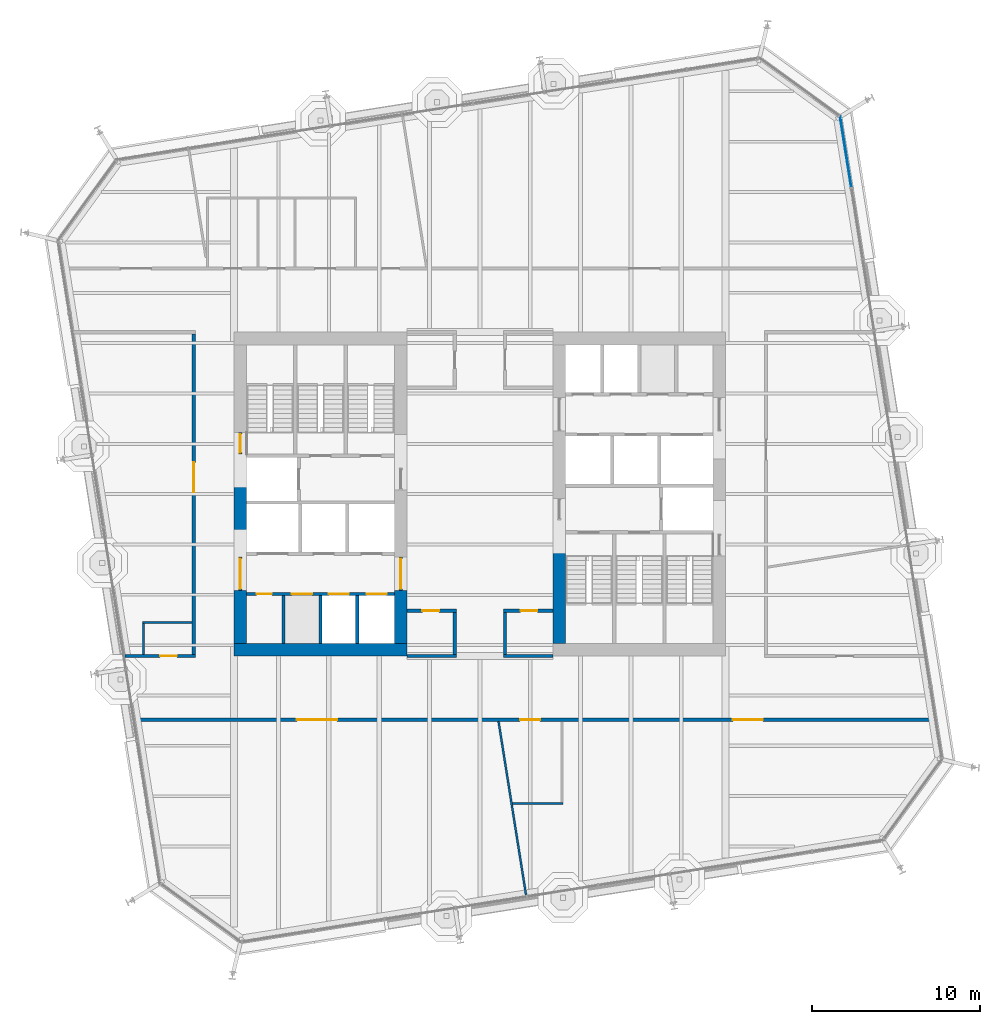
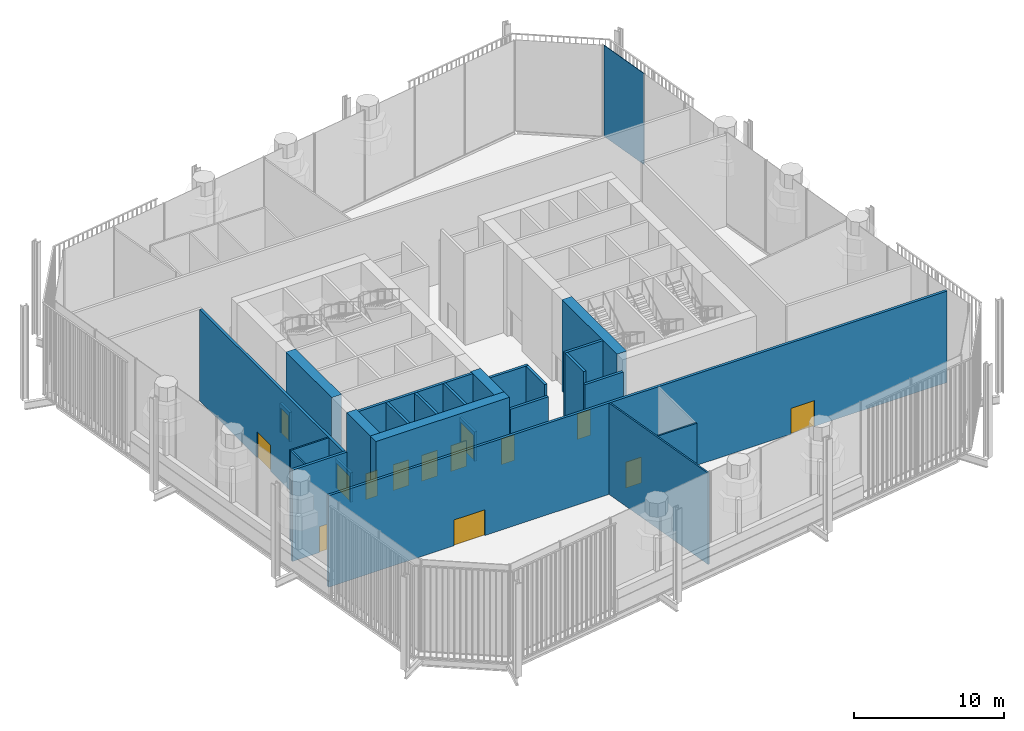
# One storey, part 11 of 19: 25 walls, 14 doors, 1 plate, 14 openings, 1 element without a shape of its own.
"""IFC4 building model written with IfcOpenShell, lengths in metres."""

from ifc_helpers import new_model, si_unit, direction, frame, frame_2d, origin, place, context, subcontext, project, spatial, polyline, rectangle, outline, extrude, material, layer, layer_set, type_object, element, fill, aggregate, save


model = new_model("IFC4")

# Units and contexts
model_context = context("Model", 3, precision=1e-05, world=origin(), true_north=direction((0.0, 1.0)))
body_context = subcontext(model_context, "Body", "Model", "MODEL_VIEW")
ifc_project = project(units=[si_unit("LENGTHUNIT", "METRE"), si_unit("AREAUNIT", "SQUARE_METRE"), si_unit("VOLUMEUNIT", "CUBIC_METRE"), si_unit("PLANEANGLEUNIT", "RADIAN"), si_unit("MASSUNIT", "GRAM", prefix="KILO")], contexts=[model_context])

# Site, building, storey
site_placement = place(None, origin())
site = spatial("IfcSite", under=ifc_project, at=site_placement, CompositionType="ELEMENT")
building_placement = place(site_placement, origin())
building = spatial("IfcBuilding", under=site, at=building_placement, Name="Millrace Tower", CompositionType="ELEMENT")
storey_placement = place(building_placement, frame((0.0, 0.0, 172.39990234375)))
storey = spatial("IfcBuildingStorey", under=building, at=storey_placement, Name="L39", CompositionType="ELEMENT", Elevation=172.39990234375)

# Curtain wall, plate
ifc_material_1 = material(Name="Aluminium and glass", Category="aluminium")
ifc_layer_1 = layer(ifc_material_1, 0.199951171875)
ifc_layer_set_1 = layer_set([ifc_layer_1], Name="Aluminium and glass")
curtain_wall_type = type_object("IfcCurtainWallType", Name="CW-4 sky garden winter glazing", PredefinedType="NOTDEFINED", material=ifc_layer_set_1)
curtain_wall_placement = place(storey_placement, origin())
curtain_wall = element("IfcCurtainWall", 1, at=curtain_wall_placement, inside=storey, type_object=curtain_wall_type, Name="Curtain wall C-F04 L39", PredefinedType="NOTDEFINED")
ifc_material_2 = material(Name="Glass", Category="glass")
ifc_layer_2 = layer(ifc_material_2, 0.0439453125)
ifc_layer_set_2 = layer_set([ifc_layer_2], Name="Glass")
plate_type = type_object("IfcPlateType", Name="CW-4 sky garden winter glazing triple-glazed double-height panel", PredefinedType="CURTAIN_PANEL", material=ifc_layer_set_2)
plate_placement = place(storey_placement, frame((0.0, 0.0, 0.18017578125)))
plate = element("IfcPlate", 2, at=plate_placement, type_object=plate_type, Name="CW4 panel C-F04.9", PredefinedType="CURTAIN_PANEL", context=body_context, shape_type="SweptSolid", body=[
    extrude(outline(polyline([(22.164306640625, 18.2890625), (21.496337890625, 22.507080078125), (21.45556640625, 22.482177734375), (22.120849609375, 18.2822265625), (22.164306640625, 18.2890625)])), origin(), (0.0, 0.0, 1.0), 7.419921875),
])
aggregate(curtain_wall, [plate])

# Walls
ifc_material_3 = material(Name="Concrete C70", Category="concrete")
ifc_layer_3 = layer(ifc_material_3, 0.75)
ifc_layer_set_3 = layer_set([ifc_layer_3], Name="Concrete C70")
wall_type_1 = type_object("IfcWallType", Name="Core wall 750 Concrete C70", PredefinedType="SHEAR", material=ifc_layer_set_3)
wall_1_placement = place(storey_placement, frame((-14.64990234375, -9.27490234375, 0.0), z_axis=(0.0, 0.0, 1.0), x_axis=(1.0, 0.0, 0.0)))
element("IfcWall", 3, at=wall_1_placement, inside=storey, type_object=wall_type_1, Name="Core wall W L39", PredefinedType="SHEAR", context=body_context, shape_type="SweptSolid", body=[
    extrude(rectangle(XDim=10.2998046875, YDim=0.75, at=frame_2d((5.14990234375, 0.0))), origin(), (0.0, 0.0, 1.0), 7.440185546875),
])
wall_2_placement = place(storey_placement, frame((-14.27490234375, -8.89990234375, 0.0), z_axis=(0.0, 0.0, 1.0), x_axis=(0.0, 1.0, 0.0)))
element("IfcWall", 4, at=wall_2_placement, inside=storey, type_object=wall_type_1, Name="Core wall W L39", PredefinedType="SHEAR", context=body_context, shape_type="SweptSolid", body=[
    extrude(rectangle(XDim=3.14990234375, YDim=0.75, at=frame_2d((1.574951171875, 0.0))), origin(), (0.0, 0.0, 1.0), 7.440185546875),
])
wall_3_placement = place(storey_placement, frame((-14.27490234375, -3.75, 0.0), z_axis=(0.0, 0.0, 1.0), x_axis=(0.0, 1.0, 0.0)))
element("IfcWall", 5, at=wall_3_placement, inside=storey, type_object=wall_type_1, Name="Core wall W L39", PredefinedType="SHEAR", context=body_context, shape_type="SweptSolid", body=[
    extrude(rectangle(XDim=6.1298828125, YDim=0.75, at=frame_2d((3.06494140625, 0.0))), origin(), (0.0, 0.0, 1.0), 7.440185546875),
])
wall_4_placement = place(storey_placement, frame((-4.72509765625, -8.89990234375, 0.0), z_axis=(0.0, 0.0, 1.0), x_axis=(0.0, 1.0, 0.0)))
element("IfcWall", 6, at=wall_4_placement, inside=storey, type_object=wall_type_1, Name="Core wall W L39", PredefinedType="SHEAR", context=body_context, shape_type="SweptSolid", body=[
    extrude(rectangle(XDim=3.14990234375, YDim=0.75, at=frame_2d((1.574951171875, 0.0))), origin(), (0.0, 0.0, 1.0), 7.440185546875),
])
wall_5_placement = place(storey_placement, frame((4.72509765625, -1.550048828125, 0.0), z_axis=(0.0, 0.0, 1.0), x_axis=(0.0, -1.0, 0.0)))
element("IfcWall", 7, at=wall_5_placement, inside=storey, type_object=wall_type_1, Name="Core wall E L39", PredefinedType="SHEAR", context=body_context, shape_type="SweptSolid", body=[
    extrude(rectangle(XDim=7.349853515625, YDim=0.75, at=frame_2d((3.6748046875, 0.0))), origin(), (0.0, 0.0, 1.0), 7.440185546875),
])

# Wall, openings, doors
ifc_material_4 = material(Name="Masonry partition, fire-rated", Category="masonry")
ifc_layer_4 = layer(ifc_material_4, 0.199951171875)
ifc_layer_set_4 = layer_set([ifc_layer_4], Name="Masonry partition, fire-rated")
wall_type_2 = type_object("IfcWallType", Name="Corridor wall 200", PredefinedType="PARTITIONING", material=ifc_layer_set_4)
wall_6_placement = place(storey_placement, frame((-20.548583984375, -13.449951171875, 0.0), z_axis=(0.0, 0.0, 1.0), x_axis=(1.0, 0.0, 0.0)))
wall_6 = element("IfcWall", 8, at=wall_6_placement, inside=storey, type_object=wall_type_2, Name="Corridor wall L39", PredefinedType="PARTITIONING", context=body_context, shape_type="SweptSolid", body=[
    extrude(rectangle(XDim=47.646728515625, YDim=0.199951171875, at=frame_2d((23.8232421875, 0.0))), origin(), (0.0, 0.0, 1.0), 7.440185546875),
])
opening_1_placement = place(wall_6_placement, frame((9.6484375, 0.0, 0.0)))
opening_1 = element("IfcOpeningElement", 9, at=opening_1_placement, cuts=wall_6, Name="Opening 39-P013", PredefinedType="OPENING", context=body_context, shape_type="SweptSolid", body=[
    extrude(rectangle(XDim=2.39990234375, YDim=2.10009765625, at=frame_2d((1.199951171875, 1.050048828125))), frame((0.0, 0.10986328125, 0.0), z_axis=(0.0, -1.0, 0.0), x_axis=(1.0, 0.0, 0.0)), (0.0, 0.0, 1.0), 0.219970703125),
])
opening_2_placement = place(wall_6_placement, frame((35.62158203125, 0.0, 0.0)))
opening_2 = element("IfcOpeningElement", 10, at=opening_2_placement, cuts=wall_6, Name="Opening 39-P014", PredefinedType="OPENING", context=body_context, shape_type="SweptSolid", body=[
    extrude(rectangle(XDim=1.800048828125, YDim=2.10009765625, at=frame_2d((0.89990234375, 1.050048828125))), frame((0.0, 0.10986328125, 0.0), z_axis=(0.0, -1.0, 0.0), x_axis=(1.0, 0.0, 0.0)), (0.0, 0.0, 1.0), 0.219970703125),
])
opening_3_placement = place(wall_6_placement, frame((22.946533203125, 0.0, 0.0)))
opening_3 = element("IfcOpeningElement", 11, at=opening_3_placement, cuts=wall_6, Name="Opening 39-P015", PredefinedType="OPENING", context=body_context, shape_type="SweptSolid", body=[
    extrude(rectangle(XDim=1.199951171875, YDim=2.10009765625, at=frame_2d((0.60009765625, 1.050048828125))), frame((0.0, 0.10986328125, 0.0), z_axis=(0.0, -1.0, 0.0), x_axis=(1.0, 0.0, 0.0)), (0.0, 0.0, 1.0), 0.219970703125),
])
ifc_material_5 = material(Name="Steel door set, fire-rated", Category="steel")
door_type_1 = type_object("IfcDoorType", Name="Corridor door 1200 x 2100", OperationType="SINGLE_SWING_LEFT", PredefinedType="DOOR", material=ifc_material_5)
door_1_placement = place(opening_3_placement, frame((1.199951171875, 0.0, 0.0), z_axis=(0.0, 0.0, 1.0), x_axis=(-1.0, 0.0, 0.0)))
door_1 = element("IfcDoor", 12, at=door_1_placement, inside=storey, type_object=door_type_1, Name="Door 39-P015", OperationType="SINGLE_SWING_RIGHT", OverallHeight=2.10009765625, OverallWidth=1.199951171875, PredefinedType="DOOR", context=body_context, shape_type="SweptSolid", body=[
    extrude(rectangle(XDim=1.199951171875, YDim=2.10009765625, at=frame_2d((0.60009765625, 1.050048828125))), frame((0.0, 0.02490234375, 0.0), z_axis=(0.0, -1.0, 0.0), x_axis=(1.0, 0.0, 0.0)), (0.0, 0.0, 1.0), 0.050048828125),
])
fill(opening_3, door_1)
ifc_material_6 = material(Name="Steel door set, fire-rated", Category="steel")
door_type_2 = type_object("IfcDoorType", Name="Corridor door 1800 x 2100", OperationType="DOUBLE_DOOR_SINGLE_SWING", PredefinedType="DOOR", material=ifc_material_6)
door_2_placement = place(opening_2_placement, origin())
door_2 = element("IfcDoor", 13, at=door_2_placement, inside=storey, type_object=door_type_2, Name="Door 39-P014", OperationType="DOUBLE_DOOR_SINGLE_SWING", OverallHeight=2.10009765625, OverallWidth=1.800048828125, PredefinedType="DOOR", context=body_context, shape_type="SweptSolid", body=[
    extrude(rectangle(XDim=1.800048828125, YDim=2.10009765625, at=frame_2d((0.89990234375, 1.050048828125))), frame((0.0, 0.02490234375, 0.0), z_axis=(0.0, -1.0, 0.0), x_axis=(1.0, 0.0, 0.0)), (0.0, 0.0, 1.0), 0.050048828125),
])
fill(opening_2, door_2)
ifc_material_7 = material(Name="Steel door set, fire-rated", Category="steel")
door_type_3 = type_object("IfcDoorType", Name="Corridor door 2400 x 2100", OperationType="DOUBLE_DOOR_SINGLE_SWING", PredefinedType="DOOR", material=ifc_material_7)
door_3_placement = place(opening_1_placement, origin())
door_3 = element("IfcDoor", 14, at=door_3_placement, inside=storey, type_object=door_type_3, Name="Door 39-P013", OperationType="DOUBLE_DOOR_SINGLE_SWING", OverallHeight=2.10009765625, OverallWidth=2.39990234375, PredefinedType="DOOR", context=body_context, shape_type="SweptSolid", body=[
    extrude(rectangle(XDim=2.39990234375, YDim=2.10009765625, at=frame_2d((1.199951171875, 1.050048828125))), frame((0.0, 0.02490234375, 0.0), z_axis=(0.0, -1.0, 0.0), x_axis=(1.0, 0.0, 0.0)), (0.0, 0.0, 1.0), 0.050048828125),
])
fill(opening_1, door_3)

# Wall, opening, door
wall_7_placement = place(storey_placement, frame((-21.150390625, -9.64990234375, 0.0), z_axis=(0.0, 0.0, 1.0), x_axis=(1.0, 0.0, 0.0)))
wall_7 = element("IfcWall", 15, at=wall_7_placement, inside=storey, type_object=wall_type_2, Name="Corridor wall L39", PredefinedType="PARTITIONING", context=body_context, shape_type="SweptSolid", body=[
    extrude(rectangle(XDim=4.200439453125, YDim=0.199951171875, at=frame_2d((2.10009765625, 0.0))), origin(), (0.0, 0.0, 1.0), 7.440185546875),
])
opening_4_placement = place(wall_7_placement, frame((2.100341796875, 0.0, 0.0)))
opening_4 = element("IfcOpeningElement", 16, at=opening_4_placement, cuts=wall_7, Name="Opening 39-P017", PredefinedType="OPENING", context=body_context, shape_type="SweptSolid", body=[
    extrude(rectangle(XDim=1.0, YDim=2.10009765625, at=frame_2d((0.5, 1.050048828125))), frame((0.0, 0.10986328125, 0.0), z_axis=(0.0, -1.0, 0.0), x_axis=(1.0, 0.0, 0.0)), (0.0, 0.0, 1.0), 0.219970703125),
])
ifc_material_8 = material(Name="Steel door set, fire-rated", Category="steel")
door_type_4 = type_object("IfcDoorType", Name="Corridor door 1000 x 2100", OperationType="SINGLE_SWING_LEFT", PredefinedType="DOOR", material=ifc_material_8)
door_4_placement = place(opening_4_placement, origin())
door_4 = element("IfcDoor", 17, at=door_4_placement, inside=storey, type_object=door_type_4, Name="Door 39-P017", OperationType="SINGLE_SWING_RIGHT", OverallHeight=2.10009765625, OverallWidth=1.0, PredefinedType="DOOR", context=body_context, shape_type="SweptSolid", body=[
    extrude(rectangle(XDim=1.0, YDim=2.10009765625, at=frame_2d((0.5, 1.050048828125))), frame((0.0, 0.02490234375, 0.0), z_axis=(0.0, -1.0, 0.0), x_axis=(1.0, 0.0, 0.0)), (0.0, 0.0, 1.0), 0.050048828125),
])
fill(opening_4, door_4)

# Walls
for number, where, z_axis, x_axis, name in (
    (18, (-4.35009765625, -9.64990234375, 0.0), (0.0, 0.0, 1.0), (1.0, 0.0, 0.0), "Corridor wall L39"),
    (19, (1.39990234375, -9.64990234375, 0.0), (0.0, 0.0, 1.0), (1.0, 0.0, 0.0), "Corridor wall L39"),
):
    element("IfcWall", number, at=place(storey_placement, frame(where, z_axis=z_axis, x_axis=x_axis)), inside=storey, type_object=wall_type_2, Name=name, PredefinedType="PARTITIONING", context=body_context, shape_type="SweptSolid", body=[
        extrude(rectangle(XDim=2.9501953125, YDim=0.199951171875, at=frame_2d((1.47509765625, 0.0))), origin(), (0.0, 0.0, 1.0), 6.512939453125),
    ])

# Wall, opening, door
wall_8_placement = place(storey_placement, frame((-4.35009765625, -6.949951171875, 0.0), z_axis=(0.0, 0.0, 1.0), x_axis=(1.0, 0.0, 0.0)))
wall_8 = element("IfcWall", 20, at=wall_8_placement, inside=storey, type_object=wall_type_2, Name="Corridor wall L39", PredefinedType="PARTITIONING", context=body_context, shape_type="SweptSolid", body=[
    extrude(rectangle(XDim=2.9501953125, YDim=0.199951171875, at=frame_2d((1.47509765625, 0.0))), origin(), (0.0, 0.0, 1.0), 7.440185546875),
])
opening_5_placement = place(wall_8_placement, frame((0.925048828125, 0.0, 0.0)))
opening_5 = element("IfcOpeningElement", 21, at=opening_5_placement, cuts=wall_8, Name="Opening 39-P003", PredefinedType="OPENING", context=body_context, shape_type="SweptSolid", body=[
    extrude(rectangle(XDim=1.0, YDim=2.10009765625, at=frame_2d((0.5, 1.050048828125))), frame((0.0, 0.10986328125, 0.0), z_axis=(0.0, -1.0, 0.0), x_axis=(1.0, 0.0, 0.0)), (0.0, 0.0, 1.0), 0.219970703125),
])
door_5_placement = place(opening_5_placement, frame((1.0, 0.0, 0.0), z_axis=(0.0, 0.0, 1.0), x_axis=(-1.0, 0.0, 0.0)))
door_5 = element("IfcDoor", 22, at=door_5_placement, inside=storey, type_object=door_type_4, Name="Door 39-P003", OperationType="SINGLE_SWING_LEFT", OverallHeight=2.10009765625, OverallWidth=1.0, PredefinedType="DOOR", context=body_context, shape_type="SweptSolid", body=[
    extrude(rectangle(XDim=1.0, YDim=2.10009765625, at=frame_2d((0.5, 1.050048828125))), frame((0.0, 0.02490234375, 0.0), z_axis=(0.0, -1.0, 0.0), x_axis=(1.0, 0.0, 0.0)), (0.0, 0.0, 1.0), 0.050048828125),
])
fill(opening_5, door_5)

wall_9_placement = place(storey_placement, frame((1.39990234375, -6.949951171875, 0.0), z_axis=(0.0, 0.0, 1.0), x_axis=(1.0, 0.0, 0.0)))
wall_9 = element("IfcWall", 23, at=wall_9_placement, inside=storey, type_object=wall_type_2, Name="Corridor wall L39", PredefinedType="PARTITIONING", context=body_context, shape_type="SweptSolid", body=[
    extrude(rectangle(XDim=2.9501953125, YDim=0.199951171875, at=frame_2d((1.47509765625, 0.0))), origin(), (0.0, 0.0, 1.0), 7.440185546875),
])
opening_6_placement = place(wall_9_placement, frame((1.02490234375, 0.0, 0.0)))
opening_6 = element("IfcOpeningElement", 24, at=opening_6_placement, cuts=wall_9, Name="Opening 39-P004", PredefinedType="OPENING", context=body_context, shape_type="SweptSolid", body=[
    extrude(rectangle(XDim=1.0, YDim=2.10009765625, at=frame_2d((0.5, 1.050048828125))), frame((0.0, 0.10986328125, 0.0), z_axis=(0.0, -1.0, 0.0), x_axis=(1.0, 0.0, 0.0)), (0.0, 0.0, 1.0), 0.219970703125),
])
door_6_placement = place(opening_6_placement, frame((1.0, 0.0, 0.0), z_axis=(0.0, 0.0, 1.0), x_axis=(-1.0, 0.0, 0.0)))
door_6 = element("IfcDoor", 25, at=door_6_placement, inside=storey, type_object=door_type_4, Name="Door 39-P004", OperationType="SINGLE_SWING_LEFT", OverallHeight=2.10009765625, OverallWidth=1.0, PredefinedType="DOOR", context=body_context, shape_type="SweptSolid", body=[
    extrude(rectangle(XDim=1.0, YDim=2.10009765625, at=frame_2d((0.5, 1.050048828125))), frame((0.0, 0.02490234375, 0.0), z_axis=(0.0, -1.0, 0.0), x_axis=(1.0, 0.0, 0.0)), (0.0, 0.0, 1.0), 0.050048828125),
])
fill(opening_6, door_6)

# Walls
for number, where, z_axis, x_axis, name in (
    (26, (1.5, -9.550048828125, 0.0), (0.0, 0.0, 1.0), (0.0, 1.0, 0.0), "Corridor wall L39"),
    (27, (-1.5, -9.550048828125, 0.0), (0.0, 0.0, 1.0), (0.0, 1.0, 0.0), "Corridor wall L39"),
):
    element("IfcWall", number, at=place(storey_placement, frame(where, z_axis=z_axis, x_axis=x_axis)), inside=storey, type_object=wall_type_2, Name=name, PredefinedType="PARTITIONING", context=body_context, shape_type="SweptSolid", body=[
        extrude(rectangle(XDim=2.5, YDim=0.199951171875, at=frame_2d((1.25, 0.0))), origin(), (0.0, 0.0, 1.0), 7.440185546875),
    ])

# Wall, opening, door
wall_10_placement = place(storey_placement, frame((-17.050048828125, -9.550048828125, 0.0), z_axis=(0.0, 0.0, 1.0), x_axis=(0.0, 1.0, 0.0)))
wall_10 = element("IfcWall", 28, at=wall_10_placement, inside=storey, type_object=wall_type_2, Name="Corridor wall L39", PredefinedType="PARTITIONING", context=body_context, shape_type="SweptSolid", body=[
    extrude(rectangle(XDim=19.10009765625, YDim=0.199951171875, at=frame_2d((9.550048828125, 0.0))), origin(), (0.0, 0.0, 1.0), 7.440185546875),
])
opening_7_placement = place(wall_10_placement, frame((9.64990234375, 0.0, 0.0)))
opening_7 = element("IfcOpeningElement", 29, at=opening_7_placement, cuts=wall_10, Name="Opening 39-P016", PredefinedType="OPENING", context=body_context, shape_type="SweptSolid", body=[
    extrude(rectangle(XDim=1.800048828125, YDim=2.10009765625, at=frame_2d((0.89990234375, 1.050048828125))), frame((0.0, 0.10986328125, 0.0), z_axis=(0.0, -1.0, 0.0), x_axis=(1.0, 0.0, 0.0)), (0.0, 0.0, 1.0), 0.219970703125),
])
door_7_placement = place(opening_7_placement, origin())
door_7 = element("IfcDoor", 30, at=door_7_placement, inside=storey, type_object=door_type_2, Name="Door 39-P016", OperationType="DOUBLE_DOOR_SINGLE_SWING", OverallHeight=2.10009765625, OverallWidth=1.800048828125, PredefinedType="DOOR", context=body_context, shape_type="SweptSolid", body=[
    extrude(rectangle(XDim=1.800048828125, YDim=2.10009765625, at=frame_2d((0.89990234375, 1.050048828125))), frame((0.0, 0.02490234375, 0.0), z_axis=(0.0, -1.0, 0.0), x_axis=(1.0, 0.0, 0.0)), (0.0, 0.0, 1.0), 0.050048828125),
])
fill(opening_7, door_7)

# Wall, openings, doors
ifc_material_9 = material(Name="Masonry partition, fire-rated", Category="masonry")
ifc_layer_5 = layer(ifc_material_9, 0.199951171875)
ifc_layer_set_5 = layer_set([ifc_layer_5], Name="Masonry partition, fire-rated")
wall_type_3 = type_object("IfcWallType", Name="Lift shaft wall 200", PredefinedType="PARTITIONING", material=ifc_layer_set_5)
wall_11_placement = place(storey_placement, frame((-13.89990234375, -5.949951171875, 0.0), z_axis=(0.0, 0.0, 1.0), x_axis=(1.0, 0.0, 0.0)))
wall_11 = element("IfcWall", 31, at=wall_11_placement, inside=storey, type_object=wall_type_3, Name="Lift shaft wall W L39", PredefinedType="PARTITIONING", context=body_context, shape_type="SweptSolid", body=[
    extrude(rectangle(XDim=8.7998046875, YDim=0.199951171875, at=frame_2d((4.39990234375, 0.0))), origin(), (0.0, 0.0, 1.0), 7.440185546875),
])
opening_8_placement = place(wall_11_placement, frame((2.699951171875, 0.0, 0.0)))
opening_8 = element("IfcOpeningElement", 32, at=opening_8_placement, cuts=wall_11, Name="Opening 39-LD02", PredefinedType="OPENING", context=body_context, shape_type="SweptSolid", body=[
    extrude(rectangle(XDim=1.199951171875, YDim=2.10009765625, at=frame_2d((0.60009765625, 1.050048828125))), frame((0.0, 0.10986328125, 0.0), z_axis=(0.0, -1.0, 0.0), x_axis=(1.0, 0.0, 0.0)), (0.0, 0.0, 1.0), 0.219970703125),
])
opening_9_placement = place(wall_11_placement, frame((4.89990234375, 0.0, 0.0)))
opening_9 = element("IfcOpeningElement", 33, at=opening_9_placement, cuts=wall_11, Name="Opening 39-LD03", PredefinedType="OPENING", context=body_context, shape_type="SweptSolid", body=[
    extrude(rectangle(XDim=1.199951171875, YDim=2.10009765625, at=frame_2d((0.60009765625, 1.050048828125))), frame((0.0, 0.10986328125, 0.0), z_axis=(0.0, -1.0, 0.0), x_axis=(1.0, 0.0, 0.0)), (0.0, 0.0, 1.0), 0.219970703125),
])
opening_10_placement = place(wall_11_placement, frame((7.14990234375, 0.0, 0.0)))
opening_10 = element("IfcOpeningElement", 34, at=opening_10_placement, cuts=wall_11, Name="Opening 39-LD04", PredefinedType="OPENING", context=body_context, shape_type="SweptSolid", body=[
    extrude(rectangle(XDim=1.199951171875, YDim=2.10009765625, at=frame_2d((0.60009765625, 1.050048828125))), frame((0.0, 0.10986328125, 0.0), z_axis=(0.0, -1.0, 0.0), x_axis=(1.0, 0.0, 0.0)), (0.0, 0.0, 1.0), 0.219970703125),
])
opening_11_placement = place(wall_11_placement, frame((0.60009765625, 0.0, 0.0)))
opening_11 = element("IfcOpeningElement", 35, at=opening_11_placement, cuts=wall_11, Name="Opening 39-C005", PredefinedType="OPENING", context=body_context, shape_type="SweptSolid", body=[
    extrude(rectangle(XDim=0.89990234375, YDim=2.10009765625, at=frame_2d((0.449951171875, 1.050048828125))), frame((0.0, 0.10986328125, 0.0), z_axis=(0.0, -1.0, 0.0), x_axis=(1.0, 0.0, 0.0)), (0.0, 0.0, 1.0), 0.219970703125),
])
ifc_material_10 = material(Name="Stainless steel, fire-rated", Category="steel")
door_type_5 = type_object("IfcDoorType", Name="Lift landing door 1200 x 2100", OperationType="DOUBLE_DOOR_SLIDING", PredefinedType="DOOR", material=ifc_material_10)
door_8_placement = place(opening_8_placement, origin())
door_8 = element("IfcDoor", 36, at=door_8_placement, inside=storey, type_object=door_type_5, Name="Lift landing door LF2 L39", OperationType="DOUBLE_DOOR_SLIDING", OverallHeight=2.10009765625, OverallWidth=1.199951171875, PredefinedType="DOOR", context=body_context, shape_type="SweptSolid", body=[
    extrude(rectangle(XDim=1.199951171875, YDim=2.10009765625, at=frame_2d((0.60009765625, 1.050048828125))), frame((0.0, 0.02490234375, 0.0), z_axis=(0.0, -1.0, 0.0), x_axis=(1.0, 0.0, 0.0)), (0.0, 0.0, 1.0), 0.050048828125),
])
fill(opening_8, door_8)
door_9_placement = place(opening_9_placement, origin())
door_9 = element("IfcDoor", 37, at=door_9_placement, inside=storey, type_object=door_type_5, Name="Lift landing door LF3 L39", OperationType="DOUBLE_DOOR_SLIDING", OverallHeight=2.10009765625, OverallWidth=1.199951171875, PredefinedType="DOOR", context=body_context, shape_type="SweptSolid", body=[
    extrude(rectangle(XDim=1.199951171875, YDim=2.10009765625, at=frame_2d((0.60009765625, 1.050048828125))), frame((0.0, 0.02490234375, 0.0), z_axis=(0.0, -1.0, 0.0), x_axis=(1.0, 0.0, 0.0)), (0.0, 0.0, 1.0), 0.050048828125),
])
fill(opening_9, door_9)
door_10_placement = place(opening_10_placement, origin())
door_10 = element("IfcDoor", 38, at=door_10_placement, inside=storey, type_object=door_type_5, Name="Lift landing door LF4 L39", OperationType="DOUBLE_DOOR_SLIDING", OverallHeight=2.10009765625, OverallWidth=1.199951171875, PredefinedType="DOOR", context=body_context, shape_type="SweptSolid", body=[
    extrude(rectangle(XDim=1.199951171875, YDim=2.10009765625, at=frame_2d((0.60009765625, 1.050048828125))), frame((0.0, 0.02490234375, 0.0), z_axis=(0.0, -1.0, 0.0), x_axis=(1.0, 0.0, 0.0)), (0.0, 0.0, 1.0), 0.050048828125),
])
fill(opening_10, door_10)
ifc_material_11 = material(Name="Steel door, fire-rated", Category="steel")
door_type_6 = type_object("IfcDoorType", Name="Service room door 900 x 2100", OperationType="SINGLE_SWING_LEFT", PredefinedType="DOOR", material=ifc_material_11)
door_11_placement = place(opening_11_placement, frame((0.89990234375, 0.0, 0.0), z_axis=(0.0, 0.0, 1.0), x_axis=(-1.0, 0.0, 0.0)))
door_11 = element("IfcDoor", 39, at=door_11_placement, inside=storey, type_object=door_type_6, Name="Service room door 39-C005", OperationType="SINGLE_SWING_RIGHT", OverallHeight=2.10009765625, OverallWidth=0.89990234375, PredefinedType="DOOR", context=body_context, shape_type="SweptSolid", body=[
    extrude(rectangle(XDim=0.89990234375, YDim=2.10009765625, at=frame_2d((0.449951171875, 1.050048828125))), frame((0.0, 0.02490234375, 0.0), z_axis=(0.0, -1.0, 0.0), x_axis=(1.0, 0.0, 0.0)), (0.0, 0.0, 1.0), 0.050048828125),
])
fill(opening_11, door_11)

# Walls
for number, where, z_axis, x_axis, name in (
    (40, (-11.699951171875, -8.89990234375, 0.0), (0.0, 0.0, 1.0), (0.0, 1.0, 0.0), "Lift shaft wall W L39"),
    (41, (-9.5, -8.89990234375, 0.0), (0.0, 0.0, 1.0), (0.0, 1.0, 0.0), "Lift shaft wall W L39"),
    (42, (-7.300048828125, -8.89990234375, 0.0), (0.0, 0.0, 1.0), (0.0, 1.0, 0.0), "Lift shaft wall W L39"),
):
    element("IfcWall", number, at=place(storey_placement, frame(where, z_axis=z_axis, x_axis=x_axis)), inside=storey, type_object=wall_type_3, Name=name, PredefinedType="PARTITIONING", context=body_context, shape_type="SweptSolid", body=[
        extrude(rectangle(XDim=2.849853515625, YDim=0.199951171875, at=frame_2d((1.4248046875, 0.0))), origin(), (0.0, 0.0, 1.0), 7.440185546875),
    ])

# Wall, opening, door
ifc_material_12 = material(Name="Masonry partition, fire-rated", Category="masonry")
ifc_layer_6 = layer(ifc_material_12, 0.199951171875)
ifc_layer_set_6 = layer_set([ifc_layer_6], Name="Masonry partition, fire-rated")
wall_type_4 = type_object("IfcWallType", Name="Lobby wall 200", PredefinedType="PARTITIONING", material=ifc_layer_set_6)
wall_12_placement = place(storey_placement, frame((-14.27490234375, -5.75, 0.0), z_axis=(0.0, 0.0, 1.0), x_axis=(0.0, 1.0, 0.0)))
wall_12 = element("IfcWall", 43, at=wall_12_placement, inside=storey, type_object=wall_type_4, Name="Lobby wall W L39", PredefinedType="PARTITIONING", context=body_context, shape_type="SweptSolid", body=[
    extrude(rectangle(XDim=2.0, YDim=0.199951171875, at=frame_2d((1.0, 0.0))), origin(), (0.0, 0.0, 1.0), 2.400146484375),
])
opening_12_placement = place(wall_12_placement, frame((0.10009765625, 0.0, 0.0)))
opening_12 = element("IfcOpeningElement", 44, at=opening_12_placement, cuts=wall_12, Name="Opening 39-C001", PredefinedType="OPENING", context=body_context, shape_type="SweptSolid", body=[
    extrude(rectangle(XDim=1.800048828125, YDim=2.10009765625, at=frame_2d((0.89990234375, 1.050048828125))), frame((0.0, 0.10986328125, 0.0), z_axis=(0.0, -1.0, 0.0), x_axis=(1.0, 0.0, 0.0)), (0.0, 0.0, 1.0), 0.219970703125),
])
ifc_material_13 = material(Name="Steel door, fire-rated", Category="steel")
door_type_7 = type_object("IfcDoorType", Name="Lobby door 1800 x 2100", OperationType="DOUBLE_DOOR_SINGLE_SWING", PredefinedType="DOOR", material=ifc_material_13)
door_12_placement = place(opening_12_placement, origin())
door_12 = element("IfcDoor", 45, at=door_12_placement, inside=storey, type_object=door_type_7, Name="Lobby door 39-C001", OperationType="DOUBLE_DOOR_SINGLE_SWING", OverallHeight=2.10009765625, OverallWidth=1.800048828125, PredefinedType="DOOR", context=body_context, shape_type="SweptSolid", body=[
    extrude(rectangle(XDim=1.800048828125, YDim=2.10009765625, at=frame_2d((0.89990234375, 1.050048828125))), frame((0.0, 0.02490234375, 0.0), z_axis=(0.0, -1.0, 0.0), x_axis=(1.0, 0.0, 0.0)), (0.0, 0.0, 1.0), 0.050048828125),
])
fill(opening_12, door_12)

wall_13_placement = place(storey_placement, frame((-4.72509765625, -5.75, 0.0), z_axis=(0.0, 0.0, 1.0), x_axis=(0.0, 1.0, 0.0)))
wall_13 = element("IfcWall", 46, at=wall_13_placement, inside=storey, type_object=wall_type_4, Name="Lobby wall W L39", PredefinedType="PARTITIONING", context=body_context, shape_type="SweptSolid", body=[
    extrude(rectangle(XDim=2.0, YDim=0.199951171875, at=frame_2d((1.0, 0.0))), origin(), (0.0, 0.0, 1.0), 2.400146484375),
])
opening_13_placement = place(wall_13_placement, frame((0.10009765625, 0.0, 0.0)))
opening_13 = element("IfcOpeningElement", 47, at=opening_13_placement, cuts=wall_13, Name="Opening 39-C003", PredefinedType="OPENING", context=body_context, shape_type="SweptSolid", body=[
    extrude(rectangle(XDim=1.800048828125, YDim=2.10009765625, at=frame_2d((0.89990234375, 1.050048828125))), frame((0.0, 0.10986328125, 0.0), z_axis=(0.0, -1.0, 0.0), x_axis=(1.0, 0.0, 0.0)), (0.0, 0.0, 1.0), 0.219970703125),
])
door_13_placement = place(opening_13_placement, origin())
door_13 = element("IfcDoor", 48, at=door_13_placement, inside=storey, type_object=door_type_7, Name="Lobby door 39-C003", OperationType="DOUBLE_DOOR_SINGLE_SWING", OverallHeight=2.10009765625, OverallWidth=1.800048828125, PredefinedType="DOOR", context=body_context, shape_type="SweptSolid", body=[
    extrude(rectangle(XDim=1.800048828125, YDim=2.10009765625, at=frame_2d((0.89990234375, 1.050048828125))), frame((0.0, 0.02490234375, 0.0), z_axis=(0.0, -1.0, 0.0), x_axis=(1.0, 0.0, 0.0)), (0.0, 0.0, 1.0), 0.050048828125),
])
fill(opening_13, door_13)

# Walls
ifc_material_14 = material(Name="Gypsum board partition")
ifc_layer_7 = layer(ifc_material_14, 0.1201171875)
ifc_layer_set_7 = layer_set([ifc_layer_7], Name="Gypsum board partition")
wall_type_5 = type_object("IfcWallType", Name="Partition wall 120", PredefinedType="PARTITIONING", material=ifc_layer_set_7)
wall_14_placement = place(storey_placement, frame((1.11328125, -13.548828125, 0.0), z_axis=(0.0, 0.0, 1.0), x_axis=(0.156514991133, -0.98767558315, 0.0)))
element("IfcWall", 49, at=wall_14_placement, inside=storey, type_object=wall_type_5, Name="Partition wall L39", PredefinedType="PARTITIONING", context=body_context, shape_type="SweptSolid", body=[
    extrude(rectangle(XDim=10.507080078125, YDim=0.1201171875, at=frame_2d((5.25341796875, 0.0))), origin(), (0.0, 0.0, 1.0), 7.440185546875),
])
wall_15_placement = place(storey_placement, frame((1.9501953125, -18.449951171875, 0.0), z_axis=(0.0, 0.0, 1.0), x_axis=(1.0, 0.0, 0.0)))
element("IfcWall", 50, at=wall_15_placement, inside=storey, type_object=wall_type_5, Name="Partition wall L39", PredefinedType="PARTITIONING", context=body_context, shape_type="SweptSolid", body=[
    extrude(rectangle(XDim=3.0078125, YDim=0.1201171875, at=frame_2d((1.50390625, 0.0))), origin(), (0.0, 0.0, 1.0), 7.440185546875),
])
wall_16_placement = place(storey_placement, frame((-20.110107421875, -7.64990234375, 0.0), z_axis=(0.0, 0.0, 1.0), x_axis=(1.0, 0.0, 0.0)))
element("IfcWall", 51, at=wall_16_placement, inside=storey, type_object=wall_type_5, Name="Partition wall L39", PredefinedType="PARTITIONING", context=body_context, shape_type="SweptSolid", body=[
    extrude(rectangle(XDim=2.960205078125, YDim=0.1201171875, at=frame_2d((1.47998046875, 0.0))), origin(), (0.0, 0.0, 1.0), 7.440185546875),
])
wall_17_placement = place(storey_placement, frame((-20.050048828125, -9.550048828125, 0.0), z_axis=(0.0, 0.0, 1.0), x_axis=(0.0, 1.0, 0.0)))
element("IfcWall", 52, at=wall_17_placement, inside=storey, type_object=wall_type_5, Name="Partition wall L39", PredefinedType="PARTITIONING", context=body_context, shape_type="SweptSolid", body=[
    extrude(rectangle(XDim=1.840087890625, YDim=0.1201171875, at=frame_2d((0.919921875, 0.0))), origin(), (0.0, 0.0, 1.0), 7.440185546875),
])

# Wall, opening, door
ifc_material_15 = material(Name="Concrete C40", Category="concrete")
ifc_layer_8 = layer(ifc_material_15, 0.199951171875)
ifc_layer_set_8 = layer_set([ifc_layer_8], Name="Concrete C40")
wall_type_6 = type_object("IfcWallType", Name="Stair enclosure wall 200 Concrete C40", PredefinedType="SHEAR", material=ifc_layer_set_8)
wall_18_placement = place(storey_placement, frame((-14.27490234375, 2.3798828125, 0.0), z_axis=(0.0, 0.0, 1.0), x_axis=(0.0, 1.0, 0.0)))
wall_18 = element("IfcWall", 53, at=wall_18_placement, inside=storey, type_object=wall_type_6, Name="Stair enclosure wall W L39", PredefinedType="SHEAR", context=body_context, shape_type="SweptSolid", body=[
    extrude(rectangle(XDim=1.300048828125, YDim=0.199951171875, at=frame_2d((0.64990234375, 0.0))), origin(), (0.0, 0.0, 1.0), 2.400146484375),
])
opening_14_placement = place(wall_18_placement, frame((0.10009765625, 0.0, 0.0)))
opening_14 = element("IfcOpeningElement", 54, at=opening_14_placement, cuts=wall_18, Name="Opening 39-C002", PredefinedType="OPENING", context=body_context, shape_type="SweptSolid", body=[
    extrude(rectangle(XDim=1.10009765625, YDim=2.10009765625, at=frame_2d((0.550048828125, 1.050048828125))), frame((0.0, 0.10986328125, 0.0), z_axis=(0.0, -1.0, 0.0), x_axis=(1.0, 0.0, 0.0)), (0.0, 0.0, 1.0), 0.219970703125),
])
ifc_material_16 = material(Name="Steel door, fire-rated", Category="steel")
door_type_8 = type_object("IfcDoorType", Name="Stair door 1100 x 2100", OperationType="SINGLE_SWING_LEFT", PredefinedType="DOOR", material=ifc_material_16)
door_14_placement = place(opening_14_placement, origin())
door_14 = element("IfcDoor", 55, at=door_14_placement, inside=storey, type_object=door_type_8, Name="Stair door 39-C002", OperationType="SINGLE_SWING_LEFT", OverallHeight=2.10009765625, OverallWidth=1.10009765625, PredefinedType="DOOR", context=body_context, shape_type="SweptSolid", body=[
    extrude(rectangle(XDim=1.10009765625, YDim=2.10009765625, at=frame_2d((0.550048828125, 1.050048828125))), frame((0.0, 0.02490234375, 0.0), z_axis=(0.0, -1.0, 0.0), x_axis=(1.0, 0.0, 0.0)), (0.0, 0.0, 1.0), 0.050048828125),
])
fill(opening_14, door_14)

save(model, "model.ifc")
